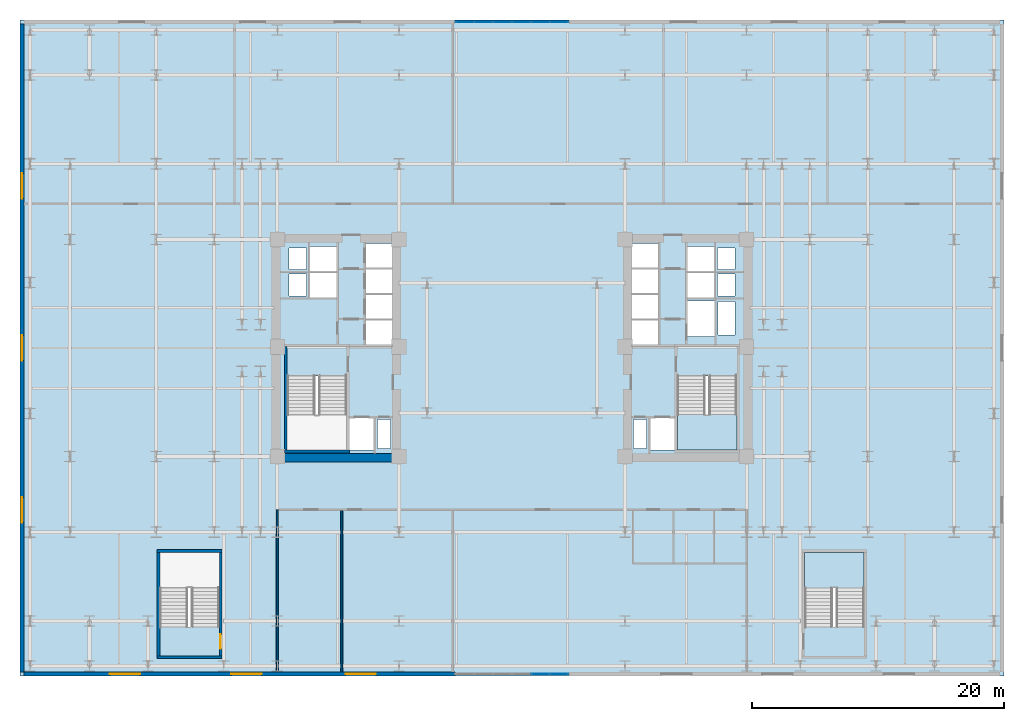
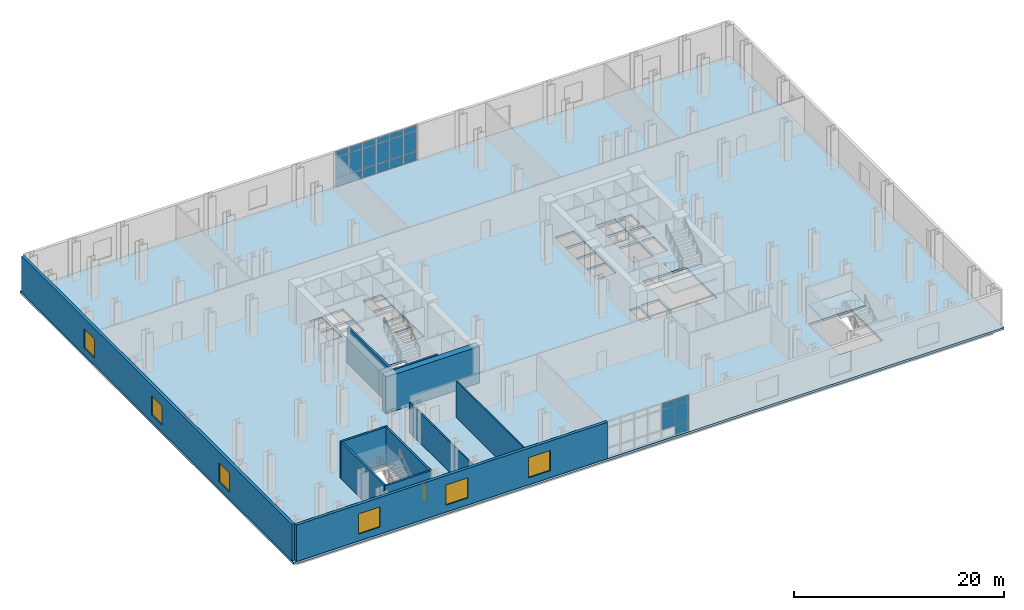
# One storey, part 7 of 13: 23 plates, 11 walls, 6 windows, 3 slabs, 1 door, 7 openings, 4 elements without a shape of their own.
"""IFC4 building model written with IfcOpenShell, lengths in metres."""

from ifc_helpers import new_model, si_unit, direction, frame, frame_2d, origin, origin_2d, place, context, subcontext, project, spatial, polyline, rectangle, outline, extrude, material, layer, layer_set, type_object, element, fill, aggregate, save


model = new_model("IFC4")

# Units and contexts
model_context = context("Model", 3, precision=1e-05, world=origin(), true_north=direction((0.0, 1.0)))
body_context = subcontext(model_context, "Body", "Model", "MODEL_VIEW")
ifc_project = project(units=[si_unit("LENGTHUNIT", "METRE"), si_unit("AREAUNIT", "SQUARE_METRE"), si_unit("VOLUMEUNIT", "CUBIC_METRE"), si_unit("PLANEANGLEUNIT", "RADIAN"), si_unit("MASSUNIT", "GRAM", prefix="KILO")], contexts=[model_context])

# Site, building, storey
site_placement = place(None, origin())
site = spatial("IfcSite", under=ifc_project, at=site_placement, CompositionType="ELEMENT")
building_placement = place(site_placement, origin())
building = spatial("IfcBuilding", under=site, at=building_placement, Name="Velakula Bourse", CompositionType="ELEMENT")
storey_placement = place(building_placement, frame((0.0, 0.0, 9.60009765625)))
storey = spatial("IfcBuildingStorey", under=building, at=storey_placement, Name="L02", CompositionType="ELEMENT", Elevation=9.60009765625)

# Curtain wall, plates
ifc_material_1 = material(Name="Anodised bronze architectural aluminium", Category="aluminium")
ifc_layer_1 = layer(ifc_material_1, 0.179931640625, Name="Anodised bronze architectural aluminium", Category="aluminium")
ifc_layer_set_1 = layer_set([ifc_layer_1], Name="Anodised bronze architectural aluminium")
curtain_wall_type = type_object("IfcCurtainWallType", Name="CW-PD1", PredefinedType="NOTDEFINED", material=ifc_layer_set_1)
curtain_wall_1_placement = place(storey_placement, origin())
curtain_wall_1 = element("IfcCurtainWall", 1, at=curtain_wall_1_placement, inside=storey, type_object=curtain_wall_type, Name="L02 South Station Galleria Curtain Wall 2", PredefinedType="NOTDEFINED")
ifc_material_2 = material(Name="Double-glazed solar-control Low-E glass", Category="glass")
ifc_layer_2 = layer(ifc_material_2, 0.02587890625, Name="Double-glazed solar-control Low-E glass", Category="glass")
ifc_layer_set_2 = layer_set([ifc_layer_2], Name="Double-glazed solar-control Low-E glass")
plate_type = type_object("IfcPlateType", Name="PNL-CW-PD1", PredefinedType="CURTAIN_PANEL", material=ifc_layer_set_2)
plate_1_placement = place(storey_placement, frame((3.735107421875, -25.840087890625, 0.06005859375), z_axis=(0.0, 0.0, 1.0), x_axis=(-1.0, 0.0, 0.0)))
plate_1 = element("IfcPlate", 2, at=plate_1_placement, type_object=plate_type, Name="CW-PD1 panel 1.1", PredefinedType="CURTAIN_PANEL", context=body_context, shape_type="SweptSolid", body=[
    extrude(rectangle(XDim=1.409912109375, YDim=0.028076171875, at=origin_2d()), origin(), (0.0, 0.0, 1.0), 1.010009765625),
])
plate_2_placement = place(storey_placement, frame((3.735107421875, -25.840087890625, 1.1298828125), z_axis=(0.0, 0.0, 1.0), x_axis=(-1.0, 0.0, 0.0)))
plate_2 = element("IfcPlate", 3, at=plate_2_placement, type_object=plate_type, Name="CW-PD1 panel 1.2", PredefinedType="CURTAIN_PANEL", context=body_context, shape_type="SweptSolid", body=[
    extrude(rectangle(XDim=1.409912109375, YDim=0.028076171875, at=origin_2d()), origin(), (0.0, 0.0, 1.0), 2.320068359375),
])
plate_3_placement = place(storey_placement, frame((3.735107421875, -25.840087890625, 3.509765625), z_axis=(0.0, 0.0, 1.0), x_axis=(-1.0, 0.0, 0.0)))
plate_3 = element("IfcPlate", 4, at=plate_3_placement, type_object=plate_type, Name="CW-PD1 panel 1.3", PredefinedType="CURTAIN_PANEL", context=body_context, shape_type="SweptSolid", body=[
    extrude(rectangle(XDim=1.409912109375, YDim=0.028076171875, at=origin_2d()), origin(), (0.0, 0.0, 1.0), 0.659912109375),
])
plate_4_placement = place(storey_placement, frame((2.25, -25.840087890625, 1.1298828125), z_axis=(0.0, 0.0, 1.0), x_axis=(-1.0, 0.0, 0.0)))
plate_4 = element("IfcPlate", 5, at=plate_4_placement, type_object=plate_type, Name="CW-PD1 panel 2.2", PredefinedType="CURTAIN_PANEL", context=body_context, shape_type="SweptSolid", body=[
    extrude(rectangle(XDim=1.43994140625, YDim=0.028076171875, at=origin_2d()), origin(), (0.0, 0.0, 1.0), 2.320068359375),
])
plate_5_placement = place(storey_placement, frame((2.25, -25.840087890625, 3.509765625), z_axis=(0.0, 0.0, 1.0), x_axis=(-1.0, 0.0, 0.0)))
plate_5 = element("IfcPlate", 6, at=plate_5_placement, type_object=plate_type, Name="CW-PD1 panel 2.3", PredefinedType="CURTAIN_PANEL", context=body_context, shape_type="SweptSolid", body=[
    extrude(rectangle(XDim=1.43994140625, YDim=0.028076171875, at=origin_2d()), origin(), (0.0, 0.0, 1.0), 0.659912109375),
])
aggregate(curtain_wall_1, [plate_1, plate_2, plate_3, plate_4, plate_5])

curtain_wall_2_placement = place(storey_placement, origin())
curtain_wall_2 = element("IfcCurtainWall", 7, at=curtain_wall_2_placement, inside=storey, type_object=curtain_wall_type, Name="L02 North Station Galleria Curtain Wall 2", PredefinedType="NOTDEFINED")
plate_6_placement = place(storey_placement, frame((-3.735107421875, 25.840087890625, 0.06005859375), z_axis=(0.0, 0.0, 1.0), x_axis=(1.0, 0.0, 0.0)))
plate_6 = element("IfcPlate", 8, at=plate_6_placement, type_object=plate_type, Name="CW-PD1 panel 1.1", PredefinedType="CURTAIN_PANEL", context=body_context, shape_type="SweptSolid", body=[
    extrude(rectangle(XDim=1.409912109375, YDim=0.028076171875, at=origin_2d()), origin(), (0.0, 0.0, 1.0), 1.010009765625),
])
plate_7_placement = place(storey_placement, frame((-3.735107421875, 25.840087890625, 1.1298828125), z_axis=(0.0, 0.0, 1.0), x_axis=(1.0, 0.0, 0.0)))
plate_7 = element("IfcPlate", 9, at=plate_7_placement, type_object=plate_type, Name="CW-PD1 panel 1.2", PredefinedType="CURTAIN_PANEL", context=body_context, shape_type="SweptSolid", body=[
    extrude(rectangle(XDim=1.409912109375, YDim=0.028076171875, at=origin_2d()), origin(), (0.0, 0.0, 1.0), 2.320068359375),
])
plate_8_placement = place(storey_placement, frame((-3.735107421875, 25.840087890625, 3.509765625), z_axis=(0.0, 0.0, 1.0), x_axis=(1.0, 0.0, 0.0)))
plate_8 = element("IfcPlate", 10, at=plate_8_placement, type_object=plate_type, Name="CW-PD1 panel 1.3", PredefinedType="CURTAIN_PANEL", context=body_context, shape_type="SweptSolid", body=[
    extrude(rectangle(XDim=1.409912109375, YDim=0.028076171875, at=origin_2d()), origin(), (0.0, 0.0, 1.0), 0.659912109375),
])
plate_9_placement = place(storey_placement, frame((-2.25, 25.840087890625, 0.06005859375), z_axis=(0.0, 0.0, 1.0), x_axis=(1.0, 0.0, 0.0)))
plate_9 = element("IfcPlate", 11, at=plate_9_placement, type_object=plate_type, Name="CW-PD1 panel 2.1", PredefinedType="CURTAIN_PANEL", context=body_context, shape_type="SweptSolid", body=[
    extrude(rectangle(XDim=1.43994140625, YDim=0.028076171875, at=origin_2d()), origin(), (0.0, 0.0, 1.0), 1.010009765625),
])
plate_10_placement = place(storey_placement, frame((-2.25, 25.840087890625, 1.1298828125), z_axis=(0.0, 0.0, 1.0), x_axis=(1.0, 0.0, 0.0)))
plate_10 = element("IfcPlate", 12, at=plate_10_placement, type_object=plate_type, Name="CW-PD1 panel 2.2", PredefinedType="CURTAIN_PANEL", context=body_context, shape_type="SweptSolid", body=[
    extrude(rectangle(XDim=1.43994140625, YDim=0.028076171875, at=origin_2d()), origin(), (0.0, 0.0, 1.0), 2.320068359375),
])
plate_11_placement = place(storey_placement, frame((-2.25, 25.840087890625, 3.509765625), z_axis=(0.0, 0.0, 1.0), x_axis=(1.0, 0.0, 0.0)))
plate_11 = element("IfcPlate", 13, at=plate_11_placement, type_object=plate_type, Name="CW-PD1 panel 2.3", PredefinedType="CURTAIN_PANEL", context=body_context, shape_type="SweptSolid", body=[
    extrude(rectangle(XDim=1.43994140625, YDim=0.028076171875, at=origin_2d()), origin(), (0.0, 0.0, 1.0), 0.659912109375),
])
plate_12_placement = place(storey_placement, frame((-0.75, 25.840087890625, 0.06005859375), z_axis=(0.0, 0.0, 1.0), x_axis=(1.0, 0.0, 0.0)))
plate_12 = element("IfcPlate", 14, at=plate_12_placement, type_object=plate_type, Name="CW-PD1 panel 3.1", PredefinedType="CURTAIN_PANEL", context=body_context, shape_type="SweptSolid", body=[
    extrude(rectangle(XDim=1.43994140625, YDim=0.028076171875, at=origin_2d()), origin(), (0.0, 0.0, 1.0), 1.010009765625),
])
plate_13_placement = place(storey_placement, frame((-0.75, 25.840087890625, 1.1298828125), z_axis=(0.0, 0.0, 1.0), x_axis=(1.0, 0.0, 0.0)))
plate_13 = element("IfcPlate", 15, at=plate_13_placement, type_object=plate_type, Name="CW-PD1 panel 3.2", PredefinedType="CURTAIN_PANEL", context=body_context, shape_type="SweptSolid", body=[
    extrude(rectangle(XDim=1.43994140625, YDim=0.028076171875, at=origin_2d()), origin(), (0.0, 0.0, 1.0), 2.320068359375),
])
plate_14_placement = place(storey_placement, frame((-0.75, 25.840087890625, 3.509765625), z_axis=(0.0, 0.0, 1.0), x_axis=(1.0, 0.0, 0.0)))
plate_14 = element("IfcPlate", 16, at=plate_14_placement, type_object=plate_type, Name="CW-PD1 panel 3.3", PredefinedType="CURTAIN_PANEL", context=body_context, shape_type="SweptSolid", body=[
    extrude(rectangle(XDim=1.43994140625, YDim=0.028076171875, at=origin_2d()), origin(), (0.0, 0.0, 1.0), 0.659912109375),
])
plate_15_placement = place(storey_placement, frame((0.75, 25.840087890625, 0.06005859375), z_axis=(0.0, 0.0, 1.0), x_axis=(1.0, 0.0, 0.0)))
plate_15 = element("IfcPlate", 17, at=plate_15_placement, type_object=plate_type, Name="CW-PD1 panel 4.1", PredefinedType="CURTAIN_PANEL", context=body_context, shape_type="SweptSolid", body=[
    extrude(rectangle(XDim=1.43994140625, YDim=0.028076171875, at=origin_2d()), origin(), (0.0, 0.0, 1.0), 1.010009765625),
])
plate_16_placement = place(storey_placement, frame((0.75, 25.840087890625, 1.1298828125), z_axis=(0.0, 0.0, 1.0), x_axis=(1.0, 0.0, 0.0)))
plate_16 = element("IfcPlate", 18, at=plate_16_placement, type_object=plate_type, Name="CW-PD1 panel 4.2", PredefinedType="CURTAIN_PANEL", context=body_context, shape_type="SweptSolid", body=[
    extrude(rectangle(XDim=1.43994140625, YDim=0.028076171875, at=origin_2d()), origin(), (0.0, 0.0, 1.0), 2.320068359375),
])
plate_17_placement = place(storey_placement, frame((0.75, 25.840087890625, 3.509765625), z_axis=(0.0, 0.0, 1.0), x_axis=(1.0, 0.0, 0.0)))
plate_17 = element("IfcPlate", 19, at=plate_17_placement, type_object=plate_type, Name="CW-PD1 panel 4.3", PredefinedType="CURTAIN_PANEL", context=body_context, shape_type="SweptSolid", body=[
    extrude(rectangle(XDim=1.43994140625, YDim=0.028076171875, at=origin_2d()), origin(), (0.0, 0.0, 1.0), 0.659912109375),
])
plate_18_placement = place(storey_placement, frame((2.25, 25.840087890625, 0.06005859375), z_axis=(0.0, 0.0, 1.0), x_axis=(1.0, 0.0, 0.0)))
plate_18 = element("IfcPlate", 20, at=plate_18_placement, type_object=plate_type, Name="CW-PD1 panel 5.1", PredefinedType="CURTAIN_PANEL", context=body_context, shape_type="SweptSolid", body=[
    extrude(rectangle(XDim=1.43994140625, YDim=0.028076171875, at=origin_2d()), origin(), (0.0, 0.0, 1.0), 1.010009765625),
])
plate_19_placement = place(storey_placement, frame((2.25, 25.840087890625, 1.1298828125), z_axis=(0.0, 0.0, 1.0), x_axis=(1.0, 0.0, 0.0)))
plate_19 = element("IfcPlate", 21, at=plate_19_placement, type_object=plate_type, Name="CW-PD1 panel 5.2", PredefinedType="CURTAIN_PANEL", context=body_context, shape_type="SweptSolid", body=[
    extrude(rectangle(XDim=1.43994140625, YDim=0.028076171875, at=origin_2d()), origin(), (0.0, 0.0, 1.0), 2.320068359375),
])
plate_20_placement = place(storey_placement, frame((2.25, 25.840087890625, 3.509765625), z_axis=(0.0, 0.0, 1.0), x_axis=(1.0, 0.0, 0.0)))
plate_20 = element("IfcPlate", 22, at=plate_20_placement, type_object=plate_type, Name="CW-PD1 panel 5.3", PredefinedType="CURTAIN_PANEL", context=body_context, shape_type="SweptSolid", body=[
    extrude(rectangle(XDim=1.43994140625, YDim=0.028076171875, at=origin_2d()), origin(), (0.0, 0.0, 1.0), 0.659912109375),
])
plate_21_placement = place(storey_placement, frame((3.735107421875, 25.840087890625, 0.06005859375), z_axis=(0.0, 0.0, 1.0), x_axis=(1.0, 0.0, 0.0)))
plate_21 = element("IfcPlate", 23, at=plate_21_placement, type_object=plate_type, Name="CW-PD1 panel 6.1", PredefinedType="CURTAIN_PANEL", context=body_context, shape_type="SweptSolid", body=[
    extrude(rectangle(XDim=1.409912109375, YDim=0.028076171875, at=origin_2d()), origin(), (0.0, 0.0, 1.0), 1.010009765625),
])
plate_22_placement = place(storey_placement, frame((3.735107421875, 25.840087890625, 1.1298828125), z_axis=(0.0, 0.0, 1.0), x_axis=(1.0, 0.0, 0.0)))
plate_22 = element("IfcPlate", 24, at=plate_22_placement, type_object=plate_type, Name="CW-PD1 panel 6.2", PredefinedType="CURTAIN_PANEL", context=body_context, shape_type="SweptSolid", body=[
    extrude(rectangle(XDim=1.409912109375, YDim=0.028076171875, at=origin_2d()), origin(), (0.0, 0.0, 1.0), 2.320068359375),
])
plate_23_placement = place(storey_placement, frame((3.735107421875, 25.840087890625, 3.509765625), z_axis=(0.0, 0.0, 1.0), x_axis=(1.0, 0.0, 0.0)))
plate_23 = element("IfcPlate", 25, at=plate_23_placement, type_object=plate_type, Name="CW-PD1 panel 6.3", PredefinedType="CURTAIN_PANEL", context=body_context, shape_type="SweptSolid", body=[
    extrude(rectangle(XDim=1.409912109375, YDim=0.028076171875, at=origin_2d()), origin(), (0.0, 0.0, 1.0), 0.659912109375),
])
aggregate(curtain_wall_2, [plate_6, plate_7, plate_8, plate_9, plate_10, plate_11, plate_12, plate_13, plate_14, plate_15, plate_16, plate_17, plate_18, plate_19, plate_20, plate_21, plate_22, plate_23])

# Slab
ifc_material_3 = material(Name="Concrete M50 (fck 50 MPa)", Category="concrete")
ifc_layer_3 = layer(ifc_material_3, 0.25, Name="Concrete M50 (fck 50 MPa)", Category="concrete")
ifc_layer_set_3 = layer_set([ifc_layer_3], Name="Concrete M50 (fck 50 MPa)")
slab_type_1 = type_object("IfcSlabType", Name="SLB-POD-250", PredefinedType="FLOOR", material=ifc_layer_set_3)
slab_1_placement = place(storey_placement, frame((0.0, 0.0, -0.25)))
element("IfcSlab", 26, at=slab_1_placement, inside=storey, type_object=slab_type_1, Name="L02 Suspended Structural Floor Slab", PredefinedType="FLOOR", context=body_context, shape_type="SweptSolid", body=[
    extrude(outline(polyline([(-39.0, -26.0), (39.0, -26.0), (39.0, 26.0), (-39.0, 26.0), (-39.0, -26.0)]), holes=[polyline([(-17.820068359375, -8.10009765625), (-13.10009765625, -8.10009765625), (-13.10009765625, -2.199951171875), (-17.820068359375, -2.199951171875), (-17.820068359375, -8.10009765625)]), polyline([(13.10009765625, -8.10009765625), (17.820068359375, -8.10009765625), (17.820068359375, -2.199951171875), (13.10009765625, -2.199951171875), (13.10009765625, -8.10009765625)]), polyline([(-27.919921875, -22.10009765625), (-23.199951171875, -22.10009765625), (-23.199951171875, -16.199951171875), (-27.919921875, -16.199951171875), (-27.919921875, -22.10009765625)]), polyline([(23.199951171875, -22.10009765625), (27.919921875, -22.10009765625), (27.919921875, -16.199951171875), (23.199951171875, -16.199951171875), (23.199951171875, -22.10009765625)]), polyline([(-12.89990234375, -8.10009765625), (-10.949951171875, -8.10009765625), (-10.949951171875, -5.550048828125), (-12.89990234375, -5.550048828125), (-12.89990234375, -8.10009765625)]), polyline([(10.949951171875, -8.10009765625), (12.89990234375, -8.10009765625), (12.89990234375, -5.550048828125), (10.949951171875, -5.550048828125), (10.949951171875, -8.10009765625)]), polyline([(13.89990234375, 0.919921875), (16.050048828125, 0.919921875), (16.050048828125, 3.719970703125), (13.89990234375, 3.719970703125), (13.89990234375, 0.919921875)]), polyline([(-10.679931640625, -7.97998046875), (-9.6201171875, -7.97998046875), (-9.6201171875, -5.669921875), (-10.679931640625, -5.669921875), (-10.679931640625, -7.97998046875)]), polyline([(-17.679931640625, 4.139892578125), (-16.27001953125, 4.139892578125), (-16.27001953125, 5.85009765625), (-17.679931640625, 5.85009765625), (-17.679931640625, 4.139892578125)]), polyline([(-17.679931640625, 6.2099609375), (-16.27001953125, 6.2099609375), (-16.27001953125, 7.919921875), (-17.679931640625, 7.919921875), (-17.679931640625, 6.2099609375)]), polyline([(9.6201171875, -7.97998046875), (10.679931640625, -7.97998046875), (10.679931640625, -5.669921875), (9.6201171875, -5.669921875), (9.6201171875, -7.97998046875)]), polyline([(16.27001953125, 4.139892578125), (17.679931640625, 4.139892578125), (17.679931640625, 5.85009765625), (16.27001953125, 5.85009765625), (16.27001953125, 4.139892578125)]), polyline([(16.27001953125, 6.2099609375), (17.679931640625, 6.2099609375), (17.679931640625, 7.919921875), (16.27001953125, 7.919921875), (16.27001953125, 6.2099609375)]), polyline([(16.320068359375, 1.0400390625), (17.679931640625, 1.0400390625), (17.679931640625, 3.699951171875), (16.320068359375, 3.699951171875), (16.320068359375, 1.0400390625)]), polyline([(-11.60009765625, 0.280029296875), (-9.5, 0.280029296875), (-9.5, 2.199951171875), (-11.60009765625, 2.199951171875), (-11.60009765625, 0.280029296875)]), polyline([(-11.60009765625, 2.31005859375), (-9.5, 2.31005859375), (-9.5, 4.22998046875), (-11.60009765625, 4.22998046875), (-11.60009765625, 2.31005859375)]), polyline([(-11.60009765625, 4.340087890625), (-9.5, 4.340087890625), (-9.5, 6.260009765625), (-11.60009765625, 6.260009765625), (-11.60009765625, 4.340087890625)]), polyline([(-11.60009765625, 6.3701171875), (-9.5, 6.3701171875), (-9.5, 8.2900390625), (-11.60009765625, 8.2900390625), (-11.60009765625, 6.3701171875)]), polyline([(9.5, 0.280029296875), (11.60009765625, 0.280029296875), (11.60009765625, 2.199951171875), (9.5, 2.199951171875), (9.5, 0.280029296875)]), polyline([(9.5, 2.31005859375), (11.60009765625, 2.31005859375), (11.60009765625, 4.22998046875), (9.5, 4.22998046875), (9.5, 2.31005859375)]), polyline([(9.5, 4.340087890625), (11.60009765625, 4.340087890625), (11.60009765625, 6.260009765625), (9.5, 6.260009765625), (9.5, 4.340087890625)]), polyline([(9.5, 6.3701171875), (11.60009765625, 6.3701171875), (11.60009765625, 8.2900390625), (9.5, 8.2900390625), (9.5, 6.3701171875)]), polyline([(-16.0, 4.02001953125), (-13.89990234375, 4.02001953125), (-13.89990234375, 5.969970703125), (-16.0, 5.969970703125), (-16.0, 4.02001953125)]), polyline([(-16.0, 6.090087890625), (-13.89990234375, 6.090087890625), (-13.89990234375, 8.0400390625), (-16.0, 8.0400390625), (-16.0, 6.090087890625)]), polyline([(13.89990234375, 4.02001953125), (16.0, 4.02001953125), (16.0, 5.969970703125), (13.89990234375, 5.969970703125), (13.89990234375, 4.02001953125)]), polyline([(13.89990234375, 6.090087890625), (16.0, 6.090087890625), (16.0, 8.0400390625), (13.89990234375, 8.0400390625), (13.89990234375, 6.090087890625)])]), origin(), (0.0, 0.0, 1.0), 0.25),
])

# Stair, slab
ifc_material_4 = material(Name="Concrete M45 (fck 45 MPa)", Category="concrete")
stair_type = type_object("IfcStairType", Name="STR-DOG-435", PredefinedType="HALF_TURN_STAIR", material=ifc_material_4)
stair_1_placement = place(storey_placement, origin())
stair_1 = element("IfcStair", 27, at=stair_1_placement, inside=storey, type_object=stair_type, Name="L02 East Core Exit Stair ST-E1", PredefinedType="HALF_TURN_STAIR")
ifc_layer_4 = layer(ifc_material_4, 0.199951171875, Name="Concrete M45 (fck 45 MPa)", Category="concrete")
ifc_layer_set_4 = layer_set([ifc_layer_4], Name="Concrete M45 (fck 45 MPa)")
slab_type_2 = type_object("IfcSlabType", Name="SLB-STAIR-LND-200", PredefinedType="LANDING", material=ifc_layer_set_4)
slab_2_placement = place(storey_placement, frame((0.0, 0.0, 2.0498046875)))
slab_2 = element("IfcSlab", 28, at=slab_2_placement, type_object=slab_type_2, Name="ST-E1 landing 1", PredefinedType="LANDING", context=body_context, shape_type="SweptSolid", body=[
    extrude(outline(polyline([(13.10009765625, -5.280029296875), (13.10009765625, -8.10009765625), (17.820068359375, -8.10009765625), (17.820068359375, -5.280029296875), (13.10009765625, -5.280029296875)])), origin(), (0.0, 0.0, 1.0), 0.2001953125),
])
aggregate(stair_1, [slab_2])

stair_2_placement = place(storey_placement, origin())
stair_2 = element("IfcStair", 29, at=stair_2_placement, inside=storey, type_object=stair_type, Name="L02 East Podium Exit Stair ST-P2", PredefinedType="HALF_TURN_STAIR")
slab_3_placement = place(storey_placement, frame((0.0, 0.0, 2.0498046875)))
slab_3 = element("IfcSlab", 30, at=slab_3_placement, type_object=slab_type_2, Name="ST-P2 landing 1", PredefinedType="LANDING", context=body_context, shape_type="SweptSolid", body=[
    extrude(outline(polyline([(27.919921875, -19.02001953125), (27.919921875, -16.199951171875), (23.199951171875, -16.199951171875), (23.199951171875, -19.02001953125), (27.919921875, -19.02001953125)])), origin(), (0.0, 0.0, 1.0), 0.2001953125),
])
aggregate(stair_2, [slab_3])

# Walls
ifc_layer_5 = layer(ifc_material_3, 0.2099609375, Name="Concrete M50 (fck 50 MPa)", Category="concrete")
ifc_layer_set_5 = layer_set([ifc_layer_5], Name="Concrete M50 (fck 50 MPa)")
wall_type_1 = type_object("IfcWallType", Name="WL-CORE-210", PredefinedType="SHEAR", material=ifc_layer_set_5)
wall_1_placement = place(storey_placement, frame((-17.925048828125, -8.10009765625, 0.0), z_axis=(0.0, 0.0, 1.0), x_axis=(0.0, 1.0, 0.0)))
element("IfcWall", 31, at=wall_1_placement, inside=storey, type_object=wall_type_1, Name="L02 Core W Stairwell Shear Wall OUT", PredefinedType="SHEAR", context=body_context, shape_type="SweptSolid", body=[
    extrude(rectangle(XDim=8.2001953125, YDim=0.2099609375, at=frame_2d((4.10009765625, 0.0))), origin(), (0.0, 0.0, 1.0), 4.25),
])
wall_2_placement = place(storey_placement, frame((-18.030029296875, -8.205078125, 0.0), z_axis=(0.0, 0.0, 1.0), x_axis=(1.0, 0.0, 0.0)))
element("IfcWall", 32, at=wall_2_placement, inside=storey, type_object=wall_type_1, Name="L02 Core W Stairwell Shear Wall S", PredefinedType="SHEAR", context=body_context, shape_type="SweptSolid", body=[
    extrude(rectangle(XDim=5.14013671875, YDim=0.2099609375, at=frame_2d((2.570068359375, 0.0))), origin(), (0.0, 0.0, 1.0), 4.25),
])
for number, where, z_axis, x_axis, name in (
    (33, (-28.1298828125, -24.5048828125, 0.0), (0.0, 0.0, 1.0), (1.0, 0.0, 0.0), "L02 Podium Stair ST-P1 Shear Wall S"),
    (34, (-28.1298828125, -16.094970703125, 0.0), (0.0, 0.0, 1.0), (1.0, 0.0, 0.0), "L02 Podium Stair ST-P1 Shear Wall N"),
):
    element("IfcWall", number, at=place(storey_placement, frame(where, z_axis=z_axis, x_axis=x_axis)), inside=storey, type_object=wall_type_1, Name=name, PredefinedType="SHEAR", context=body_context, shape_type="SweptSolid", body=[
        extrude(rectangle(XDim=5.139892578125, YDim=0.2099609375, at=frame_2d((2.56982421875, 0.0))), origin(), (0.0, 0.0, 1.0), 4.25),
    ])
wall_3_placement = place(storey_placement, frame((-28.02490234375, -24.39990234375, 0.0), z_axis=(0.0, 0.0, 1.0), x_axis=(0.0, 1.0, 0.0)))
element("IfcWall", 35, at=wall_3_placement, inside=storey, type_object=wall_type_1, Name="L02 Podium Stair ST-P1 Shear Wall W", PredefinedType="SHEAR", context=body_context, shape_type="SweptSolid", body=[
    extrude(rectangle(XDim=8.199951171875, YDim=0.2099609375, at=frame_2d((4.10009765625, 0.0))), origin(), (0.0, 0.0, 1.0), 4.25),
])

# Wall, opening, door
wall_4_placement = place(storey_placement, frame((-23.094970703125, -24.39990234375, 0.0), z_axis=(0.0, 0.0, 1.0), x_axis=(0.0, 1.0, 0.0)))
wall_4 = element("IfcWall", 36, at=wall_4_placement, inside=storey, type_object=wall_type_1, Name="L02 Podium Stair ST-P1 Shear Wall E", PredefinedType="SHEAR", context=body_context, shape_type="SweptSolid", body=[
    extrude(rectangle(XDim=8.199951171875, YDim=0.2099609375, at=frame_2d((4.10009765625, 0.0))), origin(), (0.0, 0.0, 1.0), 4.25),
])
opening_1_placement = place(wall_4_placement, frame((0.550048828125, 0.0, 0.0)))
opening_1 = element("IfcOpeningElement", 37, at=opening_1_placement, cuts=wall_4, Name="Opening D-P1", PredefinedType="OPENING", context=body_context, shape_type="SweptSolid", body=[
    extrude(rectangle(XDim=1.14990234375, YDim=2.10009765625, at=frame_2d((0.574951171875, 1.050048828125))), frame((0.0, 0.114990234375, 0.0), z_axis=(0.0, -1.0, 0.0), x_axis=(1.0, 0.0, 0.0)), (0.0, 0.0, 1.0), 0.22998046875),
])
ifc_material_5 = material(Name="Galvanised painted hollow steel fire door", Category="steel")
door_type = type_object("IfcDoorType", Name="DR-FD120-1150x2100", OperationType="NOTDEFINED", PredefinedType="DOOR", material=ifc_material_5)
door_placement = place(opening_1_placement, origin())
door = element("IfcDoor", 38, at=door_placement, inside=storey, type_object=door_type, Name="L02 Stair ST-P1 Fire Door", OperationType="SINGLE_SWING_LEFT", OverallHeight=2.10009765625, OverallWidth=1.14990234375, PredefinedType="DOOR", context=body_context, shape_type="SweptSolid", body=[
    extrude(rectangle(XDim=1.14990234375, YDim=2.10009765625, at=frame_2d((0.574951171875, 1.050048828125))), frame((0.0, 0.02490234375, 0.0), z_axis=(0.0, -1.0, 0.0), x_axis=(1.0, 0.0, 0.0)), (0.0, 0.0, 1.0), 0.050048828125),
])
fill(opening_1, door)

# Wall
ifc_material_6 = material(Name="Concrete M70 (fck 70 MPa)", Category="concrete")
ifc_layer_6 = layer(ifc_material_6, 0.699951171875, Name="Concrete M70 (fck 70 MPa)", Category="concrete")
ifc_layer_set_6 = layer_set([ifc_layer_6], Name="Concrete M70 (fck 70 MPa)")
wall_type_2 = type_object("IfcWallType", Name="WL-CORE-700", PredefinedType="SHEAR", material=ifc_layer_set_6)
wall_5_placement = place(storey_placement, frame((-19.050048828125, -8.699951171875, 0.0), z_axis=(0.0, 0.0, 1.0), x_axis=(1.0, 0.0, 0.0)))
element("IfcWall", 39, at=wall_5_placement, inside=storey, type_object=wall_type_2, Name="L02 Core W Shear Wall S", PredefinedType="SHEAR", context=body_context, shape_type="SweptSolid", body=[
    extrude(rectangle(XDim=10.25, YDim=0.699951171875, at=frame_2d((5.125, 0.0))), origin(), (0.0, 0.0, 1.0), 4.25),
])

# Wall, openings, windows
ifc_material_7 = material(Name="Red kilned clay facing brick masonry", Category="masonry")
ifc_layer_7 = layer(ifc_material_7, 0.320068359375, Name="Red kilned clay facing brick masonry", Category="masonry")
ifc_layer_set_7 = layer_set([ifc_layer_7], Name="Red kilned clay facing brick masonry")
wall_type_3 = type_object("IfcWallType", Name="WL-EXT-BRK-320", PredefinedType="STANDARD", material=ifc_layer_set_7)
wall_6_placement = place(storey_placement, frame((-4.5, -25.840087890625, 0.0), z_axis=(0.0, 0.0, 1.0), x_axis=(-1.0, 0.0, 0.0)))
wall_6 = element("IfcWall", 40, at=wall_6_placement, inside=storey, type_object=wall_type_3, Name="L02 South Brick Facade Wall 3", PredefinedType="STANDARD", context=body_context, shape_type="SweptSolid", body=[
    extrude(rectangle(XDim=34.179931640625, YDim=0.320068359375, at=frame_2d((17.08984375, 0.0))), origin(), (0.0, 0.0, 1.0), 4.22998046875),
])
opening_2_placement = place(wall_6_placement, frame((6.294921875, 0.0, 0.800048828125)))
opening_2 = element("IfcOpeningElement", 41, at=opening_2_placement, cuts=wall_6, Name="Opening W-06", PredefinedType="OPENING", context=body_context, shape_type="SweptSolid", body=[
    extrude(rectangle(XDim=2.39990234375, YDim=2.35009765625, at=frame_2d((1.199951171875, 1.175048828125))), frame((0.0, 0.169921875, 0.0), z_axis=(0.0, -1.0, 0.0), x_axis=(1.0, 0.0, 0.0)), (0.0, 0.0, 1.0), 0.340087890625),
])
opening_3_placement = place(wall_6_placement, frame((15.340087890625, 0.0, 0.800048828125)))
opening_3 = element("IfcOpeningElement", 42, at=opening_3_placement, cuts=wall_6, Name="Opening W-06", PredefinedType="OPENING", context=body_context, shape_type="SweptSolid", body=[
    extrude(rectangle(XDim=2.39990234375, YDim=2.35009765625, at=frame_2d((1.199951171875, 1.175048828125))), frame((0.0, 0.169921875, 0.0), z_axis=(0.0, -1.0, 0.0), x_axis=(1.0, 0.0, 0.0)), (0.0, 0.0, 1.0), 0.340087890625),
])
opening_4_placement = place(wall_6_placement, frame((24.985107421875, 0.0, 0.800048828125)))
opening_4 = element("IfcOpeningElement", 43, at=opening_4_placement, cuts=wall_6, Name="Opening W-06", PredefinedType="OPENING", context=body_context, shape_type="SweptSolid", body=[
    extrude(rectangle(XDim=2.39990234375, YDim=2.35009765625, at=frame_2d((1.199951171875, 1.175048828125))), frame((0.0, 0.169921875, 0.0), z_axis=(0.0, -1.0, 0.0), x_axis=(1.0, 0.0, 0.0)), (0.0, 0.0, 1.0), 0.340087890625),
])
window_type_1 = type_object("IfcWindowType", Name="WIN-POD-2400x2600", PartitioningType="DOUBLE_PANEL_VERTICAL", PredefinedType="WINDOW", material=ifc_material_2)
window_1_placement = place(opening_2_placement, origin())
window_1 = element("IfcWindow", 44, at=window_1_placement, inside=storey, type_object=window_type_1, Name="L02 Deep-Set Recessed Window 1", OverallHeight=2.35009765625, OverallWidth=2.39990234375, PartitioningType="DOUBLE_PANEL_VERTICAL", PredefinedType="WINDOW", context=body_context, shape_type="SweptSolid", body=[
    extrude(rectangle(XDim=2.39990234375, YDim=2.35009765625, at=frame_2d((1.199951171875, 1.175048828125))), frame((0.0, 0.030029296875, 0.0), z_axis=(0.0, -1.0, 0.0), x_axis=(1.0, 0.0, 0.0)), (0.0, 0.0, 1.0), 0.06005859375),
])
fill(opening_2, window_1)
window_2_placement = place(opening_3_placement, origin())
window_2 = element("IfcWindow", 45, at=window_2_placement, inside=storey, type_object=window_type_1, Name="L02 Deep-Set Recessed Window 2", OverallHeight=2.35009765625, OverallWidth=2.39990234375, PartitioningType="DOUBLE_PANEL_VERTICAL", PredefinedType="WINDOW", context=body_context, shape_type="SweptSolid", body=[
    extrude(rectangle(XDim=2.39990234375, YDim=2.35009765625, at=frame_2d((1.199951171875, 1.175048828125))), frame((0.0, 0.030029296875, 0.0), z_axis=(0.0, -1.0, 0.0), x_axis=(1.0, 0.0, 0.0)), (0.0, 0.0, 1.0), 0.06005859375),
])
fill(opening_3, window_2)
window_3_placement = place(opening_4_placement, origin())
window_3 = element("IfcWindow", 46, at=window_3_placement, inside=storey, type_object=window_type_1, Name="L02 Deep-Set Recessed Window 3", OverallHeight=2.35009765625, OverallWidth=2.39990234375, PartitioningType="DOUBLE_PANEL_VERTICAL", PredefinedType="WINDOW", context=body_context, shape_type="SweptSolid", body=[
    extrude(rectangle(XDim=2.39990234375, YDim=2.35009765625, at=frame_2d((1.199951171875, 1.175048828125))), frame((0.0, 0.030029296875, 0.0), z_axis=(0.0, -1.0, 0.0), x_axis=(1.0, 0.0, 0.0)), (0.0, 0.0, 1.0), 0.06005859375),
])
fill(opening_4, window_3)

wall_7_placement = place(storey_placement, frame((-38.840087890625, -25.679931640625, 0.0), z_axis=(0.0, 0.0, 1.0), x_axis=(0.0, 1.0, 0.0)))
wall_7 = element("IfcWall", 47, at=wall_7_placement, inside=storey, type_object=wall_type_3, Name="L02 W Brick Facade Wall", PredefinedType="STANDARD", context=body_context, shape_type="SweptSolid", body=[
    extrude(rectangle(XDim=51.35986328125, YDim=0.320068359375, at=frame_2d((25.679931640625, 0.0))), origin(), (0.0, 0.0, 1.0), 4.22998046875),
])
opening_5_placement = place(wall_7_placement, frame((11.840087890625, 0.0, 0.800048828125)))
opening_5 = element("IfcOpeningElement", 48, at=opening_5_placement, cuts=wall_7, Name="Opening W-07", PredefinedType="OPENING", context=body_context, shape_type="SweptSolid", body=[
    extrude(rectangle(XDim=2.0, YDim=2.199951171875, at=frame_2d((1.0, 1.10009765625))), frame((0.0, 0.169921875, 0.0), z_axis=(0.0, -1.0, 0.0), x_axis=(1.0, 0.0, 0.0)), (0.0, 0.0, 1.0), 0.340087890625),
])
opening_6_placement = place(wall_7_placement, frame((24.679931640625, 0.0, 0.800048828125)))
opening_6 = element("IfcOpeningElement", 49, at=opening_6_placement, cuts=wall_7, Name="Opening W-07", PredefinedType="OPENING", context=body_context, shape_type="SweptSolid", body=[
    extrude(rectangle(XDim=2.0, YDim=2.199951171875, at=frame_2d((1.0, 1.10009765625))), frame((0.0, 0.169921875, 0.0), z_axis=(0.0, -1.0, 0.0), x_axis=(1.0, 0.0, 0.0)), (0.0, 0.0, 1.0), 0.340087890625),
])
opening_7_placement = place(wall_7_placement, frame((37.52001953125, 0.0, 0.800048828125)))
opening_7 = element("IfcOpeningElement", 50, at=opening_7_placement, cuts=wall_7, Name="Opening W-07", PredefinedType="OPENING", context=body_context, shape_type="SweptSolid", body=[
    extrude(rectangle(XDim=2.0, YDim=2.199951171875, at=frame_2d((1.0, 1.10009765625))), frame((0.0, 0.169921875, 0.0), z_axis=(0.0, -1.0, 0.0), x_axis=(1.0, 0.0, 0.0)), (0.0, 0.0, 1.0), 0.340087890625),
])
window_type_2 = type_object("IfcWindowType", Name="WIN-POD-2000x2400", PartitioningType="DOUBLE_PANEL_VERTICAL", PredefinedType="WINDOW", material=ifc_material_2)
window_4_placement = place(opening_5_placement, origin())
window_4 = element("IfcWindow", 51, at=window_4_placement, inside=storey, type_object=window_type_2, Name="L02 Deep-Set Recessed Window 1", OverallHeight=2.199951171875, OverallWidth=2.0, PartitioningType="DOUBLE_PANEL_VERTICAL", PredefinedType="WINDOW", context=body_context, shape_type="SweptSolid", body=[
    extrude(rectangle(XDim=2.0, YDim=2.199951171875, at=frame_2d((1.0, 1.10009765625))), frame((0.0, 0.030029296875, 0.0), z_axis=(0.0, -1.0, 0.0), x_axis=(1.0, 0.0, 0.0)), (0.0, 0.0, 1.0), 0.06005859375),
])
fill(opening_5, window_4)
window_5_placement = place(opening_6_placement, origin())
window_5 = element("IfcWindow", 52, at=window_5_placement, inside=storey, type_object=window_type_2, Name="L02 Deep-Set Recessed Window 2", OverallHeight=2.199951171875, OverallWidth=2.0, PartitioningType="DOUBLE_PANEL_VERTICAL", PredefinedType="WINDOW", context=body_context, shape_type="SweptSolid", body=[
    extrude(rectangle(XDim=2.0, YDim=2.199951171875, at=frame_2d((1.0, 1.10009765625))), frame((0.0, 0.030029296875, 0.0), z_axis=(0.0, -1.0, 0.0), x_axis=(1.0, 0.0, 0.0)), (0.0, 0.0, 1.0), 0.06005859375),
])
fill(opening_6, window_5)
window_6_placement = place(opening_7_placement, origin())
window_6 = element("IfcWindow", 53, at=window_6_placement, inside=storey, type_object=window_type_2, Name="L02 Deep-Set Recessed Window 3", OverallHeight=2.199951171875, OverallWidth=2.0, PartitioningType="DOUBLE_PANEL_VERTICAL", PredefinedType="WINDOW", context=body_context, shape_type="SweptSolid", body=[
    extrude(rectangle(XDim=2.0, YDim=2.199951171875, at=frame_2d((1.0, 1.10009765625))), frame((0.0, 0.030029296875, 0.0), z_axis=(0.0, -1.0, 0.0), x_axis=(1.0, 0.0, 0.0)), (0.0, 0.0, 1.0), 0.06005859375),
])
fill(opening_7, window_6)

# Walls
ifc_material_8 = material(Name="Fire-rated double-layer gypsum drywall partition", Category="gypsum")
ifc_layer_8 = layer(ifc_material_8, 0.139892578125, Name="Fire-rated double-layer gypsum drywall partition", Category="gypsum")
ifc_layer_set_8 = layer_set([ifc_layer_8], Name="Fire-rated double-layer gypsum drywall partition")
wall_type_4 = type_object("IfcWallType", Name="WL-PART-140", PredefinedType="STANDARD", material=ifc_layer_set_8)
wall_8_placement = place(storey_placement, frame((-18.60009765625, -25.679931640625, 0.0), z_axis=(0.0, 0.0, 1.0), x_axis=(0.0, 1.0, 0.0)))
element("IfcWall", 54, at=wall_8_placement, inside=storey, type_object=wall_type_4, Name="L02 Interior Partition WL-POD-L02-SW-END", PredefinedType="STANDARD", context=body_context, shape_type="SweptSolid", body=[
    extrude(rectangle(XDim=12.85986328125, YDim=0.139892578125, at=frame_2d((6.429931640625, 0.0))), origin(), (0.0, 0.0, 1.0), 3.52490234375),
])
wall_9_placement = place(storey_placement, frame((-13.5, -25.679931640625, 0.0), z_axis=(0.0, 0.0, 1.0), x_axis=(0.0, 1.0, 0.0)))
element("IfcWall", 55, at=wall_9_placement, inside=storey, type_object=wall_type_4, Name="L02 Interior Partition WL-POD-L02-SD1", PredefinedType="STANDARD", context=body_context, shape_type="SweptSolid", body=[
    extrude(rectangle(XDim=12.7900390625, YDim=0.139892578125, at=frame_2d((6.39501953125, 0.0))), origin(), (0.0, 0.0, 1.0), 4.22998046875),
])

save(model, "model.ifc")
